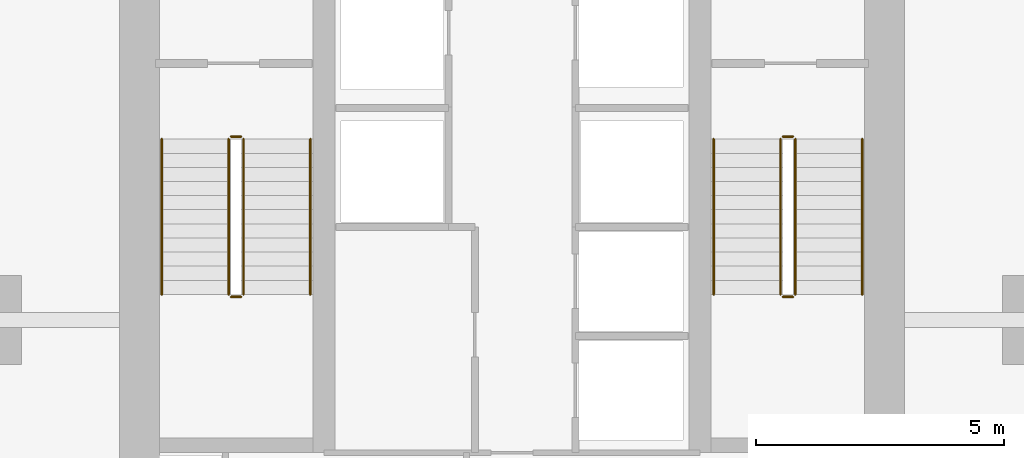
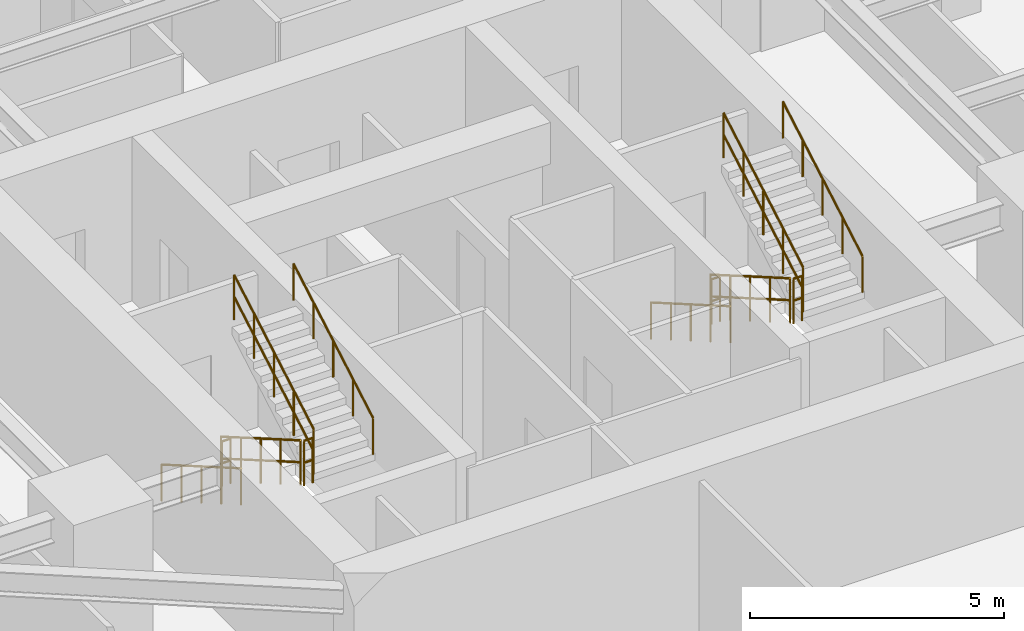
# One storey, part 24 of 25: 12 railings.
"""IFC4 building model written with IfcOpenShell, lengths in metres."""

from ifc_helpers import new_model, si_unit, direction, frame, origin, origin_2d, place, context, subcontext, project, spatial, circle, extrude, material, layer, layer_set, type_object, element, save


model = new_model("IFC4")

# Units and contexts
model_context = context("Model", 3, precision=1e-05, world=origin(), true_north=direction((0.0, 1.0)))
body_context = subcontext(model_context, "Body", "Model", "MODEL_VIEW")
ifc_project = project(units=[si_unit("LENGTHUNIT", "METRE"), si_unit("AREAUNIT", "SQUARE_METRE"), si_unit("VOLUMEUNIT", "CUBIC_METRE"), si_unit("PLANEANGLEUNIT", "RADIAN"), si_unit("MASSUNIT", "GRAM", prefix="KILO")], contexts=[model_context])

# Site, building, storey
site_placement = place(None, origin())
site = spatial("IfcSite", under=ifc_project, at=site_placement, CompositionType="ELEMENT")
building_placement = place(site_placement, origin())
building = spatial("IfcBuilding", under=site, at=building_placement, Name="Krantzveldt Concourse Tower", CompositionType="ELEMENT")
storey_placement = place(building_placement, frame((0.0, 0.0, 193.60009765625)))
storey = spatial("IfcBuildingStorey", under=building, at=storey_placement, Name="L47", CompositionType="ELEMENT", Elevation=193.60009765625)

# Railings
ifc_material = material(Name="Stainless steel 316L", Category="steel")
ifc_layer_1 = layer(ifc_material, 0.06005859375, Name="Stainless steel 316L", Category="steel")
ifc_layer_set_1 = layer_set([ifc_layer_1], Name="Stainless steel 316L (RL-GUARD-1120)")
railing_type_1 = type_object("IfcRailingType", Name="RL-GUARD-1120", PredefinedType="GUARDRAIL", material=ifc_layer_set_1)
railing_1_placement = place(storey_placement, frame((30.280029296875, 19.550048828125, 0.16455078125)))
element("IfcRailing", 1, at=railing_1_placement, inside=storey, type_object=railing_type_1, Name="L47 ST-1 stair guard 1", PredefinedType="GUARDRAIL", context=body_context, shape_type="SweptSolid", body=[
    extrude(circle(Radius=0.02392578125, at=origin_2d()), frame((0.0, 0.0, 1.076171875), z_axis=(0.0, -0.865989039225, 0.500062979975), x_axis=(1.0, 0.0, 0.0)), (0.0, 0.0, 1.0), 3.6201171875),
    extrude(circle(Radius=0.02392578125, at=origin_2d()), frame((0.0, 0.0, 0.550048828125), z_axis=(0.0, -0.865989039225, 0.500062979975), x_axis=(1.0, 0.0, 0.0)), (0.0, 0.0, 1.0), 3.6201171875),
    extrude(circle(Radius=0.02099609375, at=origin_2d()), origin(), (0.0, 0.0, 1.0), 1.052001953125),
    extrude(circle(Radius=0.02099609375, at=origin_2d()), frame((0.0, -0.78369140625, 0.45263671875)), (0.0, 0.0, 1.0), 1.052001953125),
    extrude(circle(Radius=0.02099609375, at=origin_2d()), frame((0.0, -1.5673828125, 0.9052734375)), (0.0, 0.0, 1.0), 1.052001953125),
    extrude(circle(Radius=0.02099609375, at=origin_2d()), frame((0.0, -2.351318359375, 1.357666015625)), (0.0, 0.0, 1.0), 1.052001953125),
    extrude(circle(Radius=0.02099609375, at=origin_2d()), frame((0.0, -3.135009765625, 1.810302734375)), (0.0, 0.0, 1.0), 1.052001953125),
])
railing_2_placement = place(storey_placement, frame((30.330078125, 16.364990234375, 1.974853515625)))
element("IfcRailing", 2, at=railing_2_placement, inside=storey, type_object=railing_type_1, Name="L47 ST-1 stair guard 2", PredefinedType="GUARDRAIL", context=body_context, shape_type="SweptSolid", body=[
    extrude(circle(Radius=0.02392578125, at=origin_2d()), frame((0.0, 0.0, 1.076171875), z_axis=(1.0, 0.0, 0.0), x_axis=(0.0, 1.0, 0.0)), (0.0, 0.0, 1.0), 0.199951171875),
    extrude(circle(Radius=0.02392578125, at=origin_2d()), frame((0.0, 0.0, 0.550048828125), z_axis=(1.0, 0.0, 0.0), x_axis=(0.0, 1.0, 0.0)), (0.0, 0.0, 1.0), 0.199951171875),
    extrude(circle(Radius=0.02099609375, at=origin_2d()), origin(), (0.0, 0.0, 1.0), 1.052001953125),
    extrude(circle(Radius=0.02099609375, at=origin_2d()), frame((0.199951171875, 0.0, 0.0)), (0.0, 0.0, 1.0), 1.052001953125),
])
railing_3_placement = place(storey_placement, frame((30.580078125, 16.4150390625, 2.139404296875)))
element("IfcRailing", 3, at=railing_3_placement, inside=storey, type_object=railing_type_1, Name="L47 ST-1 stair guard 3", PredefinedType="GUARDRAIL", context=body_context, shape_type="SweptSolid", body=[
    extrude(circle(Radius=0.02392578125, at=origin_2d()), frame((0.0, 0.0, 1.076171875), z_axis=(0.0, 0.865959834175, 0.500113552702), x_axis=(-1.0, 0.0, 0.0)), (0.0, 0.0, 1.0), 3.620361328125),
    extrude(circle(Radius=0.02392578125, at=origin_2d()), frame((0.0, 0.0, 0.550048828125), z_axis=(0.0, 0.865959834175, 0.500113552702), x_axis=(-1.0, 0.0, 0.0)), (0.0, 0.0, 1.0), 3.620361328125),
    extrude(circle(Radius=0.02099609375, at=origin_2d()), origin(), (0.0, 0.0, 1.0), 1.052001953125),
    extrude(circle(Radius=0.02099609375, at=origin_2d()), frame((0.0, 0.78369140625, 0.45263671875)), (0.0, 0.0, 1.0), 1.052001953125),
    extrude(circle(Radius=0.02099609375, at=origin_2d()), frame((0.0, 1.5673828125, 0.9052734375)), (0.0, 0.0, 1.0), 1.052001953125),
    extrude(circle(Radius=0.02099609375, at=origin_2d()), frame((0.0, 2.351318359375, 1.35791015625)), (0.0, 0.0, 1.0), 1.052001953125),
    extrude(circle(Radius=0.02099609375, at=origin_2d()), frame((0.0, 3.135009765625, 1.810546875)), (0.0, 0.0, 1.0), 1.052001953125),
])
railing_4_placement = place(storey_placement, frame((30.330078125, 19.60009765625, 0.0)))
element("IfcRailing", 4, at=railing_4_placement, inside=storey, type_object=railing_type_1, Name="L47 ST-1 stair guard 4", PredefinedType="GUARDRAIL", context=body_context, shape_type="SweptSolid", body=[
    extrude(circle(Radius=0.02392578125, at=origin_2d()), frame((0.0, 0.0, 1.076171875), z_axis=(1.0, 0.0, 0.0), x_axis=(0.0, 1.0, 0.0)), (0.0, 0.0, 1.0), 0.199951171875),
    extrude(circle(Radius=0.02392578125, at=origin_2d()), frame((0.0, 0.0, 0.550048828125), z_axis=(1.0, 0.0, 0.0), x_axis=(0.0, 1.0, 0.0)), (0.0, 0.0, 1.0), 0.199951171875),
    extrude(circle(Radius=0.02099609375, at=origin_2d()), origin(), (0.0, 0.0, 1.0), 1.052001953125),
    extrude(circle(Radius=0.02099609375, at=origin_2d()), frame((0.199951171875, 0.0, 0.0)), (0.0, 0.0, 1.0), 1.052001953125),
])
railing_5_placement = place(storey_placement, frame((41.419921875, 19.550048828125, 0.16455078125)))
element("IfcRailing", 5, at=railing_5_placement, inside=storey, type_object=railing_type_1, Name="L47 ST-2 stair guard 1", PredefinedType="GUARDRAIL", context=body_context, shape_type="SweptSolid", body=[
    extrude(circle(Radius=0.02392578125, at=origin_2d()), frame((0.0, 0.0, 1.076171875), z_axis=(0.0, -0.865989039225, 0.500062979975), x_axis=(1.0, 0.0, 0.0)), (0.0, 0.0, 1.0), 3.6201171875),
    extrude(circle(Radius=0.02392578125, at=origin_2d()), frame((0.0, 0.0, 0.550048828125), z_axis=(0.0, -0.865989039225, 0.500062979975), x_axis=(1.0, 0.0, 0.0)), (0.0, 0.0, 1.0), 3.6201171875),
    extrude(circle(Radius=0.02099609375, at=origin_2d()), origin(), (0.0, 0.0, 1.0), 1.052001953125),
    extrude(circle(Radius=0.02099609375, at=origin_2d()), frame((0.0, -0.78369140625, 0.45263671875)), (0.0, 0.0, 1.0), 1.052001953125),
    extrude(circle(Radius=0.02099609375, at=origin_2d()), frame((0.0, -1.5673828125, 0.9052734375)), (0.0, 0.0, 1.0), 1.052001953125),
    extrude(circle(Radius=0.02099609375, at=origin_2d()), frame((0.0, -2.351318359375, 1.357666015625)), (0.0, 0.0, 1.0), 1.052001953125),
    extrude(circle(Radius=0.02099609375, at=origin_2d()), frame((0.0, -3.135009765625, 1.810302734375)), (0.0, 0.0, 1.0), 1.052001953125),
])
railing_6_placement = place(storey_placement, frame((41.469970703125, 16.364990234375, 1.974853515625)))
element("IfcRailing", 6, at=railing_6_placement, inside=storey, type_object=railing_type_1, Name="L47 ST-2 stair guard 2", PredefinedType="GUARDRAIL", context=body_context, shape_type="SweptSolid", body=[
    extrude(circle(Radius=0.02392578125, at=origin_2d()), frame((0.0, 0.0, 1.076171875), z_axis=(1.0, 0.0, 0.0), x_axis=(0.0, 1.0, 0.0)), (0.0, 0.0, 1.0), 0.199951171875),
    extrude(circle(Radius=0.02392578125, at=origin_2d()), frame((0.0, 0.0, 0.550048828125), z_axis=(1.0, 0.0, 0.0), x_axis=(0.0, 1.0, 0.0)), (0.0, 0.0, 1.0), 0.199951171875),
    extrude(circle(Radius=0.02099609375, at=origin_2d()), origin(), (0.0, 0.0, 1.0), 1.052001953125),
    extrude(circle(Radius=0.02099609375, at=origin_2d()), frame((0.199951171875, 0.0, 0.0)), (0.0, 0.0, 1.0), 1.052001953125),
])
railing_7_placement = place(storey_placement, frame((41.719970703125, 16.4150390625, 2.139404296875)))
element("IfcRailing", 7, at=railing_7_placement, inside=storey, type_object=railing_type_1, Name="L47 ST-2 stair guard 3", PredefinedType="GUARDRAIL", context=body_context, shape_type="SweptSolid", body=[
    extrude(circle(Radius=0.02392578125, at=origin_2d()), frame((0.0, 0.0, 1.076171875), z_axis=(0.0, 0.865959834175, 0.500113552702), x_axis=(-1.0, 0.0, 0.0)), (0.0, 0.0, 1.0), 3.620361328125),
    extrude(circle(Radius=0.02392578125, at=origin_2d()), frame((0.0, 0.0, 0.550048828125), z_axis=(0.0, 0.865959834175, 0.500113552702), x_axis=(-1.0, 0.0, 0.0)), (0.0, 0.0, 1.0), 3.620361328125),
    extrude(circle(Radius=0.02099609375, at=origin_2d()), origin(), (0.0, 0.0, 1.0), 1.052001953125),
    extrude(circle(Radius=0.02099609375, at=origin_2d()), frame((0.0, 0.78369140625, 0.45263671875)), (0.0, 0.0, 1.0), 1.052001953125),
    extrude(circle(Radius=0.02099609375, at=origin_2d()), frame((0.0, 1.5673828125, 0.9052734375)), (0.0, 0.0, 1.0), 1.052001953125),
    extrude(circle(Radius=0.02099609375, at=origin_2d()), frame((0.0, 2.351318359375, 1.35791015625)), (0.0, 0.0, 1.0), 1.052001953125),
    extrude(circle(Radius=0.02099609375, at=origin_2d()), frame((0.0, 3.135009765625, 1.810546875)), (0.0, 0.0, 1.0), 1.052001953125),
])
railing_8_placement = place(storey_placement, frame((41.469970703125, 19.60009765625, 0.0)))
element("IfcRailing", 8, at=railing_8_placement, inside=storey, type_object=railing_type_1, Name="L47 ST-2 stair guard 4", PredefinedType="GUARDRAIL", context=body_context, shape_type="SweptSolid", body=[
    extrude(circle(Radius=0.02392578125, at=origin_2d()), frame((0.0, 0.0, 1.076171875), z_axis=(1.0, 0.0, 0.0), x_axis=(0.0, 1.0, 0.0)), (0.0, 0.0, 1.0), 0.199951171875),
    extrude(circle(Radius=0.02392578125, at=origin_2d()), frame((0.0, 0.0, 0.550048828125), z_axis=(1.0, 0.0, 0.0), x_axis=(0.0, 1.0, 0.0)), (0.0, 0.0, 1.0), 0.199951171875),
    extrude(circle(Radius=0.02099609375, at=origin_2d()), origin(), (0.0, 0.0, 1.0), 1.052001953125),
    extrude(circle(Radius=0.02099609375, at=origin_2d()), frame((0.199951171875, 0.0, 0.0)), (0.0, 0.0, 1.0), 1.052001953125),
])
ifc_layer_2 = layer(ifc_material, 0.050048828125, Name="Stainless steel 316L", Category="steel")
ifc_layer_set_2 = layer_set([ifc_layer_2], Name="Stainless steel 316L (RL-HANDRAIL-920)")
railing_type_2 = type_object("IfcRailingType", Name="RL-HANDRAIL-920", PredefinedType="HANDRAIL", material=ifc_layer_set_2)
railing_9_placement = place(storey_placement, frame((28.929931640625, 19.550048828125, 0.16455078125)))
element("IfcRailing", 9, at=railing_9_placement, inside=storey, type_object=railing_type_2, Name="L47 ST-1 stair handrail 1", PredefinedType="HANDRAIL", context=body_context, shape_type="SweptSolid", body=[
    extrude(circle(Radius=0.02392578125, at=origin_2d()), frame((0.0, 0.0, 0.8759765625), z_axis=(0.0, -0.865989039225, 0.500062979975), x_axis=(1.0, 0.0, 0.0)), (0.0, 0.0, 1.0), 3.6201171875),
    extrude(circle(Radius=0.02099609375, at=origin_2d()), origin(), (0.0, 0.0, 1.0), 0.851806640625),
    extrude(circle(Radius=0.02099609375, at=origin_2d()), frame((0.0, -0.78369140625, 0.45263671875)), (0.0, 0.0, 1.0), 0.851806640625),
    extrude(circle(Radius=0.02099609375, at=origin_2d()), frame((0.0, -1.5673828125, 0.9052734375)), (0.0, 0.0, 1.0), 0.851806640625),
    extrude(circle(Radius=0.02099609375, at=origin_2d()), frame((0.0, -2.351318359375, 1.357666015625)), (0.0, 0.0, 1.0), 0.851806640625),
    extrude(circle(Radius=0.02099609375, at=origin_2d()), frame((0.0, -3.135009765625, 1.810302734375)), (0.0, 0.0, 1.0), 0.851806640625),
])
railing_10_placement = place(storey_placement, frame((31.929931640625, 16.4150390625, 2.139404296875)))
element("IfcRailing", 10, at=railing_10_placement, inside=storey, type_object=railing_type_2, Name="L47 ST-1 stair handrail 2", PredefinedType="HANDRAIL", context=body_context, shape_type="SweptSolid", body=[
    extrude(circle(Radius=0.02392578125, at=origin_2d()), frame((0.0, 0.0, 0.8759765625), z_axis=(0.0, 0.865959834175, 0.500113552702), x_axis=(-1.0, 0.0, 0.0)), (0.0, 0.0, 1.0), 3.620361328125),
    extrude(circle(Radius=0.02099609375, at=origin_2d()), origin(), (0.0, 0.0, 1.0), 0.851806640625),
    extrude(circle(Radius=0.02099609375, at=origin_2d()), frame((0.0, 0.78369140625, 0.45263671875)), (0.0, 0.0, 1.0), 0.851806640625),
    extrude(circle(Radius=0.02099609375, at=origin_2d()), frame((0.0, 1.5673828125, 0.9052734375)), (0.0, 0.0, 1.0), 0.851806640625),
    extrude(circle(Radius=0.02099609375, at=origin_2d()), frame((0.0, 2.351318359375, 1.35791015625)), (0.0, 0.0, 1.0), 0.851806640625),
    extrude(circle(Radius=0.02099609375, at=origin_2d()), frame((0.0, 3.135009765625, 1.810546875)), (0.0, 0.0, 1.0), 0.851806640625),
])
railing_11_placement = place(storey_placement, frame((40.070068359375, 19.550048828125, 0.16455078125)))
element("IfcRailing", 11, at=railing_11_placement, inside=storey, type_object=railing_type_2, Name="L47 ST-2 stair handrail 1", PredefinedType="HANDRAIL", context=body_context, shape_type="SweptSolid", body=[
    extrude(circle(Radius=0.02392578125, at=origin_2d()), frame((0.0, 0.0, 0.8759765625), z_axis=(0.0, -0.865989039225, 0.500062979975), x_axis=(1.0, 0.0, 0.0)), (0.0, 0.0, 1.0), 3.6201171875),
    extrude(circle(Radius=0.02099609375, at=origin_2d()), origin(), (0.0, 0.0, 1.0), 0.851806640625),
    extrude(circle(Radius=0.02099609375, at=origin_2d()), frame((0.0, -0.78369140625, 0.45263671875)), (0.0, 0.0, 1.0), 0.851806640625),
    extrude(circle(Radius=0.02099609375, at=origin_2d()), frame((0.0, -1.5673828125, 0.9052734375)), (0.0, 0.0, 1.0), 0.851806640625),
    extrude(circle(Radius=0.02099609375, at=origin_2d()), frame((0.0, -2.351318359375, 1.357666015625)), (0.0, 0.0, 1.0), 0.851806640625),
    extrude(circle(Radius=0.02099609375, at=origin_2d()), frame((0.0, -3.135009765625, 1.810302734375)), (0.0, 0.0, 1.0), 0.851806640625),
])
railing_12_placement = place(storey_placement, frame((43.070068359375, 16.4150390625, 2.139404296875)))
element("IfcRailing", 12, at=railing_12_placement, inside=storey, type_object=railing_type_2, Name="L47 ST-2 stair handrail 2", PredefinedType="HANDRAIL", context=body_context, shape_type="SweptSolid", body=[
    extrude(circle(Radius=0.02392578125, at=origin_2d()), frame((0.0, 0.0, 0.8759765625), z_axis=(0.0, 0.865959834175, 0.500113552702), x_axis=(-1.0, 0.0, 0.0)), (0.0, 0.0, 1.0), 3.620361328125),
    extrude(circle(Radius=0.02099609375, at=origin_2d()), origin(), (0.0, 0.0, 1.0), 0.851806640625),
    extrude(circle(Radius=0.02099609375, at=origin_2d()), frame((0.0, 0.78369140625, 0.45263671875)), (0.0, 0.0, 1.0), 0.851806640625),
    extrude(circle(Radius=0.02099609375, at=origin_2d()), frame((0.0, 1.5673828125, 0.9052734375)), (0.0, 0.0, 1.0), 0.851806640625),
    extrude(circle(Radius=0.02099609375, at=origin_2d()), frame((0.0, 2.351318359375, 1.35791015625)), (0.0, 0.0, 1.0), 0.851806640625),
    extrude(circle(Radius=0.02099609375, at=origin_2d()), frame((0.0, 3.135009765625, 1.810546875)), (0.0, 0.0, 1.0), 0.851806640625),
])

save(model, "model.ifc")
